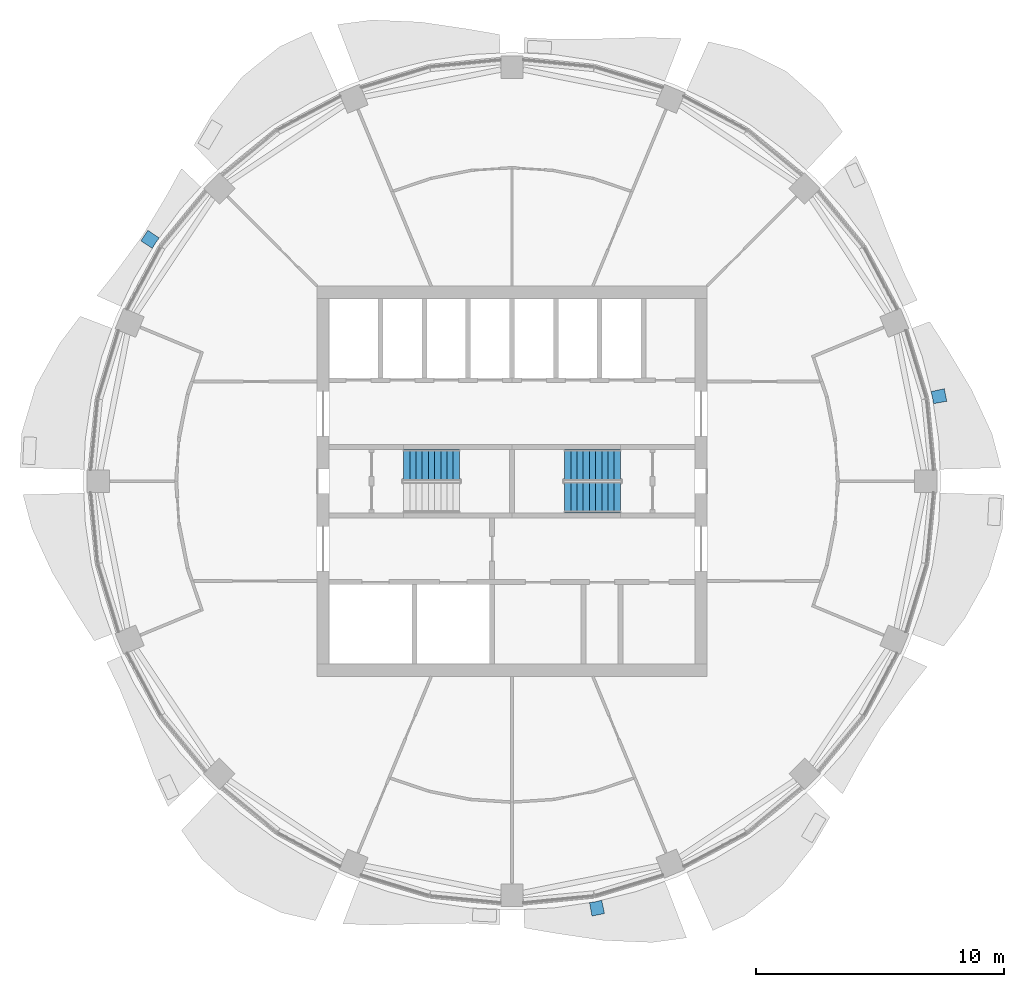
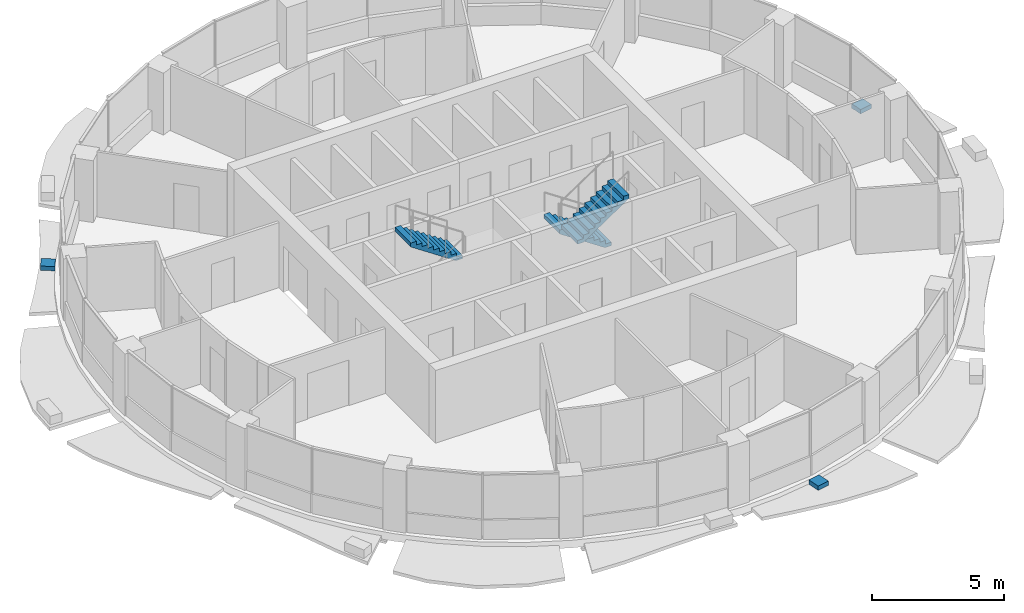
# One storey, part 11 of 15: 3 discrete accessories, 3 stair flights, 2 elements without a shape of their own.
"""IFC4 building model written with IfcOpenShell, lengths in metres."""

from ifc_helpers import new_model, si_unit, direction, frame, origin, place, context, subcontext, project, spatial, polyline, outline, extrude, material, type_object, element, aggregate, save


model = new_model("IFC4")

# Units and contexts
model_context = context("Model", 3, precision=1e-05, world=origin(), true_north=direction((0.0, 1.0)))
body_context = subcontext(model_context, "Body", "Model", "MODEL_VIEW")
ifc_project = project(units=[si_unit("LENGTHUNIT", "METRE"), si_unit("AREAUNIT", "SQUARE_METRE"), si_unit("VOLUMEUNIT", "CUBIC_METRE"), si_unit("PLANEANGLEUNIT", "RADIAN"), si_unit("MASSUNIT", "GRAM", prefix="KILO")], contexts=[model_context])

# Site, building, storey
site_placement = place(None, origin())
site = spatial("IfcSite", under=ifc_project, at=site_placement, CompositionType="ELEMENT")
building_placement = place(site_placement, origin())
building = spatial("IfcBuilding", under=site, at=building_placement, Name="Polderwave Tower", CompositionType="ELEMENT")
storey_placement = place(building_placement, frame((0.0, 0.0, 201.050048828125)))
storey = spatial("IfcBuildingStorey", under=building, at=storey_placement, Name="L54", CompositionType="ELEMENT", Elevation=201.050048828125)

# Stair, stair flight
ifc_material_1 = material(Name="Concrete C40/50", Category="concrete")
stair_type = type_object("IfcStairType", Name="Exit stair 1200 x 20 risers", PredefinedType="HALF_TURN_STAIR", material=ifc_material_1)
stair_1_placement = place(storey_placement, origin())
stair_1 = element("IfcStair", 1, at=stair_1_placement, inside=storey, type_object=stair_type, Name="L54 Exit stair A", PredefinedType="HALF_TURN_STAIR")
stair_flight_type = type_object("IfcStairFlightType", Name="Stair flight 1200", PredefinedType="STRAIGHT", material=ifc_material_1)
stair_flight_1_placement = place(storey_placement, frame((-2.1240234375, 0.675048828125, 1.675048828125), z_axis=(0.0, 0.0, 1.0), x_axis=(-1.0, 0.0, 0.0)))
stair_flight_1 = element("IfcStairFlight", 2, at=stair_flight_1_placement, type_object=stair_flight_type, Name="ST-A flight 2", NumberOfRisers=10, NumberOfTreads=9, PredefinedType="STRAIGHT", RiserHeight=0.1675, TreadLength=0.25, context=body_context, shape_type="SweptSolid", body=[
    extrude(outline(polyline([(0.0, 0.0), (0.0, 0.16748046875), (0.25, 0.16748046875), (0.25, 0.3349609375), (0.5, 0.3349609375), (0.5, 0.50244140625), (0.75, 0.50244140625), (0.75, 0.669921875), (1.0, 0.669921875), (1.0, 0.83740234375), (1.25, 0.83740234375), (1.25, 1.0048828125), (1.5, 1.0048828125), (1.5, 1.172607421875), (1.75, 1.172607421875), (1.75, 1.340087890625), (2.0, 1.340087890625), (2.0, 1.507568359375), (2.25, 1.507568359375), (2.25, 1.675048828125), (2.25, 1.3271484375), (0.269287109375, 0.0), (0.0, 0.0)])), frame((0.0, 0.60009765625, 0.0), z_axis=(0.0, -1.0, 0.0), x_axis=(1.0, 0.0, 0.0)), (0.0, 0.0, 1.0), 1.199951171875),
])
aggregate(stair_1, [stair_flight_1])

# Stair, stair flights
stair_2_placement = place(storey_placement, origin())
stair_2 = element("IfcStair", 3, at=stair_2_placement, inside=storey, type_object=stair_type, Name="L54 Exit stair B", PredefinedType="HALF_TURN_STAIR")
stair_flight_2_placement = place(storey_placement, frame((4.3740234375, 0.675048828125, 0.0), z_axis=(0.0, 0.0, 1.0), x_axis=(-1.0, 0.0, 0.0)))
stair_flight_2 = element("IfcStairFlight", 4, at=stair_flight_2_placement, type_object=stair_flight_type, Name="ST-B flight 1", NumberOfRisers=10, NumberOfTreads=9, PredefinedType="STRAIGHT", RiserHeight=0.1675, TreadLength=0.25, context=body_context, shape_type="SweptSolid", body=[
    extrude(outline(polyline([(0.0, 0.0), (0.0, 0.16748046875), (0.25, 0.16748046875), (0.25, 0.3349609375), (0.5, 0.3349609375), (0.5, 0.50244140625), (0.75, 0.50244140625), (0.75, 0.669921875), (1.0, 0.669921875), (1.0, 0.83740234375), (1.25, 0.83740234375), (1.25, 1.0048828125), (1.5, 1.0048828125), (1.5, 1.172607421875), (1.75, 1.172607421875), (1.75, 1.340087890625), (2.0, 1.340087890625), (2.0, 1.507568359375), (2.25, 1.507568359375), (2.25, 1.675048828125), (2.25, 1.3271484375), (0.269287109375, 0.0), (0.0, 0.0)])), frame((0.0, 0.60009765625, 0.0), z_axis=(0.0, -1.0, 0.0), x_axis=(1.0, 0.0, 0.0)), (0.0, 0.0, 1.0), 1.199951171875),
])
stair_flight_3_placement = place(storey_placement, frame((2.1240234375, -0.675048828125, 1.675048828125), z_axis=(0.0, 0.0, 1.0), x_axis=(1.0, 0.0, 0.0)))
stair_flight_3 = element("IfcStairFlight", 5, at=stair_flight_3_placement, type_object=stair_flight_type, Name="ST-B flight 2", NumberOfRisers=10, NumberOfTreads=9, PredefinedType="STRAIGHT", RiserHeight=0.1675, TreadLength=0.25, context=body_context, shape_type="SweptSolid", body=[
    extrude(outline(polyline([(0.0, 0.0), (0.0, 0.16748046875), (0.25, 0.16748046875), (0.25, 0.3349609375), (0.5, 0.3349609375), (0.5, 0.50244140625), (0.75, 0.50244140625), (0.75, 0.669921875), (1.0, 0.669921875), (1.0, 0.83740234375), (1.25, 0.83740234375), (1.25, 1.0048828125), (1.5, 1.0048828125), (1.5, 1.172607421875), (1.75, 1.172607421875), (1.75, 1.340087890625), (2.0, 1.340087890625), (2.0, 1.507568359375), (2.25, 1.507568359375), (2.25, 1.675048828125), (2.25, 1.3271484375), (0.269287109375, 0.0), (0.0, 0.0)])), frame((0.0, 0.60009765625, 0.0), z_axis=(0.0, -1.0, 0.0), x_axis=(1.0, 0.0, 0.0)), (0.0, 0.0, 1.0), 1.199951171875),
])
aggregate(stair_2, [stair_flight_2, stair_flight_3])

# Discrete accessories
ifc_material_2 = material(Name="Steel S355", Category="steel")
discrete_accessory_type = type_object("IfcDiscreteAccessoryType", Name="Band bracket pad", PredefinedType="BRACKET", material=ifc_material_2)
discrete_accessory_1_placement = place(storey_placement, frame((0.0, 0.0, -0.199951171875)))
element("IfcDiscreteAccessory", 6, at=discrete_accessory_1_placement, inside=storey, type_object=discrete_accessory_type, Name="Band bracket L54 1", PredefinedType="BRACKET", context=body_context, shape_type="SweptSolid", body=[
    extrude(outline(polyline([(17.00439453125, 3.127685546875), (16.967529296875, 3.375), (16.90673828125, 3.61767578125), (17.444580078125, 3.732666015625), (17.545166015625, 3.227294921875), (17.00439453125, 3.127685546875)])), origin(), (0.0, 0.0, 1.0), 0.199951171875),
])
discrete_accessory_2_placement = place(storey_placement, frame((0.0, 0.0, -0.199951171875)))
element("IfcDiscreteAccessory", 7, at=discrete_accessory_2_placement, inside=storey, type_object=discrete_accessory_type, Name="Band bracket L54 7", PredefinedType="BRACKET", context=body_context, shape_type="SweptSolid", body=[
    extrude(outline(polyline([(-14.235595703125, 9.812255859375), (-14.384521484375, 9.611328125), (-14.512939453125, 9.39697265625), (-14.974609375, 9.69580078125), (-14.688232421875, 10.124267578125), (-14.235595703125, 9.812255859375)])), origin(), (0.0, 0.0, 1.0), 0.199951171875),
])
discrete_accessory_3_placement = place(storey_placement, frame((0.0, 0.0, -0.199951171875)))
element("IfcDiscreteAccessory", 8, at=discrete_accessory_3_placement, inside=storey, type_object=discrete_accessory_type, Name="Band bracket L54 13", PredefinedType="BRACKET", context=body_context, shape_type="SweptSolid", body=[
    extrude(outline(polyline([(3.127685546875, -17.00439453125), (3.375, -16.967529296875), (3.61767578125, -16.90673828125), (3.732666015625, -17.444580078125), (3.227294921875, -17.545166015625), (3.127685546875, -17.00439453125)])), origin(), (0.0, 0.0, 1.0), 0.199951171875),
])

save(model, "model.ifc")
